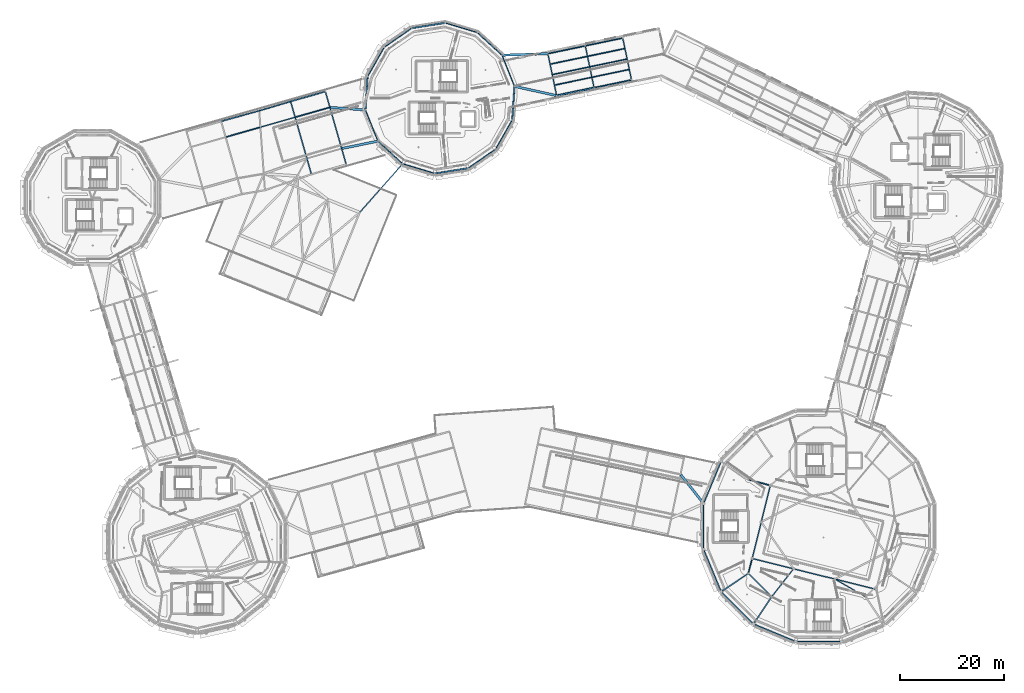
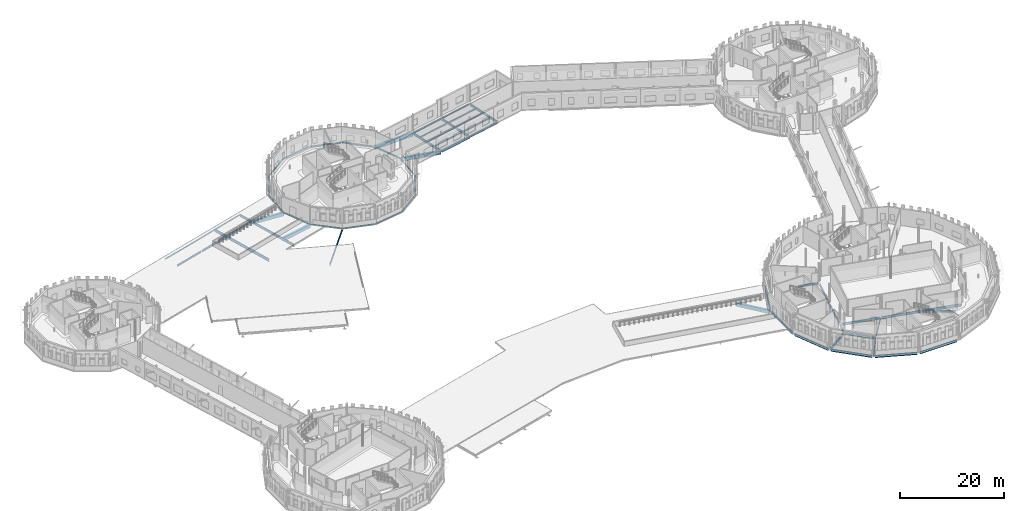
# One storey, part 27 of 90: 59 beams.
"""IFC4 building model written with IfcOpenShell, lengths in metres."""

from ifc_helpers import new_model, si_unit, direction, frame, origin, origin_2d, place, context, subcontext, project, spatial, rectangle, hollow_rectangle, i_section, extrude, material, material_profile, profile_set, type_object, element, save


model = new_model("IFC4")

# Units and contexts
model_context = context("Model", 3, precision=1e-05, world=origin(), true_north=direction((0.0, 1.0)))
body_context = subcontext(model_context, "Body", "Model", "MODEL_VIEW")
ifc_project = project(units=[si_unit("LENGTHUNIT", "METRE"), si_unit("AREAUNIT", "SQUARE_METRE"), si_unit("VOLUMEUNIT", "CUBIC_METRE"), si_unit("PLANEANGLEUNIT", "RADIAN"), si_unit("MASSUNIT", "GRAM", prefix="KILO")], contexts=[model_context])

# Site, building, storey
site_placement = place(None, origin())
site = spatial("IfcSite", under=ifc_project, at=site_placement, CompositionType="ELEMENT")
building_placement = place(site_placement, origin())
building = spatial("IfcBuilding", under=site, at=building_placement, Name="Wrenclough Park School", CompositionType="ELEMENT")
storey_placement = place(building_placement, frame((0.0, 0.0, 8.39990234375)))
storey = spatial("IfcBuildingStorey", under=building, at=storey_placement, Name="L02", CompositionType="ELEMENT", Elevation=8.39990234375)

# Beams
ifc_material_1 = material(Name="Concrete C32/40", Category="concrete")
ifc_material_profile_1 = material_profile(ifc_material_1, rectangle(XDim=0.300048828125, YDim=0.5, at=origin_2d()), Name="RC BEAM 300x500")
ifc_profile_set_1 = profile_set([ifc_material_profile_1], Name="Concrete C32/40")
beam_type_1 = type_object("IfcBeamType", Name="STR-BM-RC300", PredefinedType="BEAM", material=ifc_profile_set_1)
beam_1_placement = place(storey_placement, frame((105.4384765625, 109.007568359375, -0.5), z_axis=(0.978791744413, 0.204857806952, 0.0), x_axis=(-0.204857806952, 0.978791744413, 0.0)))
element("IfcBeam", 1, at=beam_1_placement, inside=storey, type_object=beam_type_1, Name="W45 L02 longitudinal edge beam R1", PredefinedType="BEAM", context=body_context, shape_type="SweptSolid", body=[
    extrude(rectangle(XDim=0.300048828125, YDim=0.5, at=origin_2d()), origin(), (0.0, 0.0, 1.0), 7.120849609375),
])
ifc_material_2 = material(Name="Concrete C40/50", Category="concrete")
ifc_material_profile_2 = material_profile(ifc_material_2, rectangle(XDim=0.449951171875, YDim=0.800048828125, at=origin_2d()), Name="RC BEAM 450x800")
ifc_profile_set_2 = profile_set([ifc_material_profile_2], Name="Concrete C40/50")
beam_type_2 = type_object("IfcBeamType", Name="STR-BM-RC450", PredefinedType="BEAM", material=ifc_profile_set_2)
beam_2_placement = place(storey_placement, frame((129.118408203125, 36.40576171875, -0.724853515625), z_axis=(0.619673593582, -0.784859629117, 0.0), x_axis=(0.784859629117, 0.619673593582, 0.0)))
element("IfcBeam", 2, at=beam_2_placement, inside=storey, type_object=beam_type_2, Name="W12 L02 drum junction tie beam 6", PredefinedType="BEAM", context=body_context, shape_type="SweptSolid", body=[
    extrude(rectangle(XDim=0.449951171875, YDim=0.800048828125, at=origin_2d()), origin(), (0.0, 0.0, 1.0), 6.7529296875),
])
beam_3_placement = place(storey_placement, frame((62.02392578125, 106.73486328125, -0.64990234375), z_axis=(0.997281209138, -0.073689822229, 0.0), x_axis=(0.073689822229, 0.997281209138, 0.0)))
element("IfcBeam", 3, at=beam_3_placement, inside=storey, type_object=beam_type_2, Name="W34 L02 drum junction tie beam 26", PredefinedType="BEAM", context=body_context, shape_type="SweptSolid", body=[
    extrude(rectangle(XDim=0.449951171875, YDim=0.800048828125, at=origin_2d()), origin(), (0.0, 0.0, 1.0), 6.626220703125),
])
beam_4_placement = place(storey_placement, frame((64.27490234375, 98.8779296875, -0.64990234375), z_axis=(0.979929507954, 0.199344323823, 0.0), x_axis=(-0.199344323823, 0.979929507954, 0.0)))
element("IfcBeam", 4, at=beam_4_placement, inside=storey, type_object=beam_type_2, Name="W34 L02 drum junction tie beam 28", PredefinedType="BEAM", context=body_context, shape_type="SweptSolid", body=[
    extrude(rectangle(XDim=0.449951171875, YDim=0.800048828125, at=origin_2d()), origin(), (0.0, 0.0, 1.0), 6.8916015625),
])
beam_5_placement = place(storey_placement, frame((103.5595703125, 117.009765625, -0.64990234375), z_axis=(-0.99947774817, -0.032314561938, 0.0), x_axis=(0.032314561938, -0.99947774817, 0.0)))
element("IfcBeam", 5, at=beam_5_placement, inside=storey, type_object=beam_type_2, Name="W45 L02 drum junction tie beam 42", PredefinedType="BEAM", context=body_context, shape_type="SweptSolid", body=[
    extrude(rectangle(XDim=0.449951171875, YDim=0.800048828125, at=origin_2d()), origin(), (0.0, 0.0, 1.0), 8.590087890625),
])
beam_6_placement = place(storey_placement, frame((105.24169921875, 109.008544921875, -0.64990234375), z_axis=(-0.976676095256, 0.214717966073, 0.0), x_axis=(-0.214717966073, -0.976676095256, 0.0)))
element("IfcBeam", 6, at=beam_6_placement, inside=storey, type_object=beam_type_2, Name="W45 L02 drum junction tie beam 46", PredefinedType="BEAM", context=body_context, shape_type="SweptSolid", body=[
    extrude(rectangle(XDim=0.449951171875, YDim=0.800048828125, at=origin_2d()), origin(), (0.0, 0.0, 1.0), 8.063720703125),
])
ifc_material_3 = material(Name="Structural steel S355", Category="steel")
ifc_material_profile_3 = material_profile(ifc_material_3, hollow_rectangle(XDim=0.14990234375, YDim=0.25, WallThickness=0.010009765625, InnerFilletRadius=0.010009765625, OuterFilletRadius=0.014892578125, at=origin_2d()), Name="RHS 250x150x10.0")
ifc_profile_set_3 = profile_set([ifc_material_profile_3], Name="Structural steel S355")
beam_type_3 = type_object("IfcBeamType", Name="STR-BM-RHS250", PredefinedType="SPANDREL", material=ifc_profile_set_3)
beam_7_placement = place(storey_placement, frame((41.108154296875, 104.071044921875, -0.35498046875), z_axis=(0.963910081631, 0.266228012295, 0.0), x_axis=(-0.266228012295, 0.963910081631, 0.0)))
element("IfcBeam", 7, at=beam_7_placement, inside=storey, type_object=beam_type_3, Name="W34 overhanging eave fascia beam L2", PredefinedType="SPANDREL", context=body_context, shape_type="SweptSolid", body=[
    extrude(hollow_rectangle(XDim=0.14990234375, YDim=0.25, WallThickness=0.010009765625, InnerFilletRadius=0.010009765625, OuterFilletRadius=0.014892578125, at=origin_2d()), origin(), (0.0, 0.0, 1.0), 7.56103515625),
])
beam_8_placement = place(storey_placement, frame((48.396240234375, 106.083984375, -0.35498046875), z_axis=(0.958546413676, 0.284936436471, 0.0), x_axis=(-0.284936436471, 0.958546413676, 0.0)))
element("IfcBeam", 8, at=beam_8_placement, inside=storey, type_object=beam_type_3, Name="W34 overhanging eave fascia beam L3", PredefinedType="SPANDREL", context=body_context, shape_type="SweptSolid", body=[
    extrude(hollow_rectangle(XDim=0.14990234375, YDim=0.25, WallThickness=0.010009765625, InnerFilletRadius=0.010009765625, OuterFilletRadius=0.014892578125, at=origin_2d()), origin(), (0.0, 0.0, 1.0), 6.27197265625),
])
beam_9_placement = place(storey_placement, frame((54.408203125, 107.87109375, -0.35498046875), z_axis=(0.961526611816, 0.274711803112, 0.0), x_axis=(-0.274711803112, 0.961526611816, 0.0)))
element("IfcBeam", 9, at=beam_9_placement, inside=storey, type_object=beam_type_3, Name="W34 overhanging eave fascia beam L4", PredefinedType="SPANDREL", context=body_context, shape_type="SweptSolid", body=[
    extrude(hollow_rectangle(XDim=0.14990234375, YDim=0.25, WallThickness=0.010009765625, InnerFilletRadius=0.010009765625, OuterFilletRadius=0.014892578125, at=origin_2d()), origin(), (0.0, 0.0, 1.0), 6.916015625),
])
ifc_material_profile_4 = material_profile(ifc_material_3, hollow_rectangle(XDim=0.199951171875, YDim=0.300048828125, WallThickness=0.012451171875, InnerFilletRadius=0.012451171875, OuterFilletRadius=0.018798828125, at=origin_2d()), Name="RHS 300x200x12.5")
ifc_profile_set_4 = profile_set([ifc_material_profile_4], Name="Structural steel S355")
beam_type_4 = type_object("IfcBeamType", Name="STR-BM-RHS300", PredefinedType="SPANDREL", material=ifc_profile_set_4)
beam_10_placement = place(storey_placement, frame((97.236328125, 110.849609375, -0.39990234375), z_axis=(-0.372308088297, 0.928109200142, 0.0), x_axis=(-0.928109200142, -0.372308088297, 0.0)))
element("IfcBeam", 10, at=beam_10_placement, inside=storey, type_object=beam_type_4, Name="D4 L02 outer ring spandrel beam 1", PredefinedType="SPANDREL", context=body_context, shape_type="SweptSolid", body=[
    extrude(hollow_rectangle(XDim=0.199951171875, YDim=0.300048828125, WallThickness=0.012451171875, InnerFilletRadius=0.012451171875, OuterFilletRadius=0.018798828125, at=origin_2d()), origin(), (0.0, 0.0, 1.0), 6.23876953125),
])
beam_11_placement = place(storey_placement, frame((94.806884765625, 116.7939453125, -0.39990234375), z_axis=(-0.738113443635, 0.674676622038, 0.0), x_axis=(-0.674676622038, -0.738113443635, 0.0)))
element("IfcBeam", 11, at=beam_11_placement, inside=storey, type_object=beam_type_4, Name="D4 L02 outer ring spandrel beam 2", PredefinedType="SPANDREL", context=body_context, shape_type="SweptSolid", body=[
    extrude(hollow_rectangle(XDim=0.199951171875, YDim=0.300048828125, WallThickness=0.012451171875, InnerFilletRadius=0.012451171875, OuterFilletRadius=0.018798828125, at=origin_2d()), origin(), (0.0, 0.0, 1.0), 6.238525390625),
])
for number, where, z_axis, x_axis, name in (
    (12, (90.039306640625, 121.095458984375, -0.39990234375), (-0.957756249966, 0.287581233136, 0.0), (-0.287581233136, -0.957756249966, 0.0), "D4 L02 outer ring spandrel beam 3"),
    (13, (83.877197265625, 122.90234375, -0.39990234375), (-0.987686062731, -0.156448846228, 0.0), (0.156448846228, -0.987686062731, 0.0), "D4 L02 outer ring spandrel beam 4"),
    (14, (77.54150390625, 121.856689453125, -0.39990234375), (-0.822001965349, -0.569484652086, 0.0), (0.569484652086, -0.822001965349, 0.0), "D4 L02 outer ring spandrel beam 5"),
):
    element("IfcBeam", number, at=place(storey_placement, frame(where, z_axis=z_axis, x_axis=x_axis)), inside=storey, type_object=beam_type_4, Name=name, PredefinedType="SPANDREL", context=body_context, shape_type="SweptSolid", body=[
        extrude(hollow_rectangle(XDim=0.199951171875, YDim=0.300048828125, WallThickness=0.012451171875, InnerFilletRadius=0.012451171875, OuterFilletRadius=0.018798828125, at=origin_2d()), origin(), (0.0, 0.0, 1.0), 6.239013671875),
    ])
beam_12_placement = place(storey_placement, frame((72.286865234375, 118.16552734375, -0.39990234375), z_axis=(-0.493494324181, -0.869749016672, 0.0), x_axis=(0.869749016672, -0.493494324181, 0.0)))
element("IfcBeam", 15, at=beam_12_placement, inside=storey, type_object=beam_type_4, Name="D4 L02 outer ring spandrel beam 6", PredefinedType="SPANDREL", context=body_context, shape_type="SweptSolid", body=[
    extrude(hollow_rectangle(XDim=0.199951171875, YDim=0.300048828125, WallThickness=0.012451171875, InnerFilletRadius=0.012451171875, OuterFilletRadius=0.018798828125, at=origin_2d()), origin(), (0.0, 0.0, 1.0), 6.23876953125),
])
beam_13_placement = place(storey_placement, frame((69.154052734375, 112.56005859375, -0.39990234375), z_axis=(-0.067266991553, -0.997735010836, 0.0), x_axis=(0.997735010836, -0.067266991553, 0.0)))
element("IfcBeam", 16, at=beam_13_placement, inside=storey, type_object=beam_type_4, Name="D4 L02 outer ring spandrel beam 7", PredefinedType="SPANDREL", context=body_context, shape_type="SweptSolid", body=[
    extrude(hollow_rectangle(XDim=0.199951171875, YDim=0.300048828125, WallThickness=0.012451171875, InnerFilletRadius=0.012451171875, OuterFilletRadius=0.018798828125, at=origin_2d()), origin(), (0.0, 0.0, 1.0), 6.239013671875),
])
beam_14_placement = place(storey_placement, frame((68.763671875, 106.150390625, -0.39990234375), z_axis=(0.372308088297, -0.928109200142, 0.0), x_axis=(0.928109200142, 0.372308088297, 0.0)))
element("IfcBeam", 17, at=beam_14_placement, inside=storey, type_object=beam_type_4, Name="D4 L02 outer ring spandrel beam 8", PredefinedType="SPANDREL", context=body_context, shape_type="SweptSolid", body=[
    extrude(hollow_rectangle(XDim=0.199951171875, YDim=0.300048828125, WallThickness=0.012451171875, InnerFilletRadius=0.012451171875, OuterFilletRadius=0.018798828125, at=origin_2d()), origin(), (0.0, 0.0, 1.0), 6.23876953125),
])
beam_15_placement = place(storey_placement, frame((71.193115234375, 100.2060546875, -0.39990234375), z_axis=(0.738113443635, -0.674676622038, 0.0), x_axis=(0.674676622038, 0.738113443635, 0.0)))
element("IfcBeam", 18, at=beam_15_placement, inside=storey, type_object=beam_type_4, Name="D4 L02 outer ring spandrel beam 9", PredefinedType="SPANDREL", context=body_context, shape_type="SweptSolid", body=[
    extrude(hollow_rectangle(XDim=0.199951171875, YDim=0.300048828125, WallThickness=0.012451171875, InnerFilletRadius=0.012451171875, OuterFilletRadius=0.018798828125, at=origin_2d()), origin(), (0.0, 0.0, 1.0), 6.238525390625),
])
for number, where, z_axis, x_axis, name in (
    (19, (75.960693359375, 95.904541015625, -0.39990234375), (0.957756249966, -0.287581233136, 0.0), (0.287581233136, 0.957756249966, 0.0), "D4 L02 outer ring spandrel beam 10"),
    (20, (82.122802734375, 94.09765625, -0.39990234375), (0.987686062731, 0.156448846228, 0.0), (-0.156448846228, 0.987686062731, 0.0), "D4 L02 outer ring spandrel beam 11"),
    (21, (88.45849609375, 95.143310546875, -0.39990234375), (0.822001965349, 0.569484652086, 0.0), (-0.569484652086, 0.822001965349, 0.0), "D4 L02 outer ring spandrel beam 12"),
):
    element("IfcBeam", number, at=place(storey_placement, frame(where, z_axis=z_axis, x_axis=x_axis)), inside=storey, type_object=beam_type_4, Name=name, PredefinedType="SPANDREL", context=body_context, shape_type="SweptSolid", body=[
        extrude(hollow_rectangle(XDim=0.199951171875, YDim=0.300048828125, WallThickness=0.012451171875, InnerFilletRadius=0.012451171875, OuterFilletRadius=0.018798828125, at=origin_2d()), origin(), (0.0, 0.0, 1.0), 6.239013671875),
    ])
beam_16_placement = place(storey_placement, frame((93.713134765625, 98.83447265625, -0.39990234375), z_axis=(0.493494324181, 0.869749016672, 0.0), x_axis=(-0.869749016672, 0.493494324181, 0.0)))
element("IfcBeam", 22, at=beam_16_placement, inside=storey, type_object=beam_type_4, Name="D4 L02 outer ring spandrel beam 13", PredefinedType="SPANDREL", context=body_context, shape_type="SweptSolid", body=[
    extrude(hollow_rectangle(XDim=0.199951171875, YDim=0.300048828125, WallThickness=0.012451171875, InnerFilletRadius=0.012451171875, OuterFilletRadius=0.018798828125, at=origin_2d()), origin(), (0.0, 0.0, 1.0), 6.23876953125),
])
beam_17_placement = place(storey_placement, frame((96.845947265625, 104.43994140625, -0.39990234375), z_axis=(0.067266991553, 0.997735010836, 0.0), x_axis=(-0.997735010836, 0.067266991553, 0.0)))
element("IfcBeam", 23, at=beam_17_placement, inside=storey, type_object=beam_type_4, Name="D4 L02 outer ring spandrel beam 14", PredefinedType="SPANDREL", context=body_context, shape_type="SweptSolid", body=[
    extrude(hollow_rectangle(XDim=0.199951171875, YDim=0.300048828125, WallThickness=0.012451171875, InnerFilletRadius=0.012451171875, OuterFilletRadius=0.018798828125, at=origin_2d()), origin(), (0.0, 0.0, 1.0), 6.239013671875),
])
ifc_material_profile_5 = material_profile(ifc_material_3, i_section(OverallWidth=0.1650390625, OverallDepth=0.303466796875, WebThickness=0.006103515625, FlangeThickness=0.01025390625, FilletRadius=0.0087890625, at=origin_2d()), Name="UKB 305x165x40")
ifc_profile_set_5 = profile_set([ifc_material_profile_5], Name="Structural steel S355")
beam_type_5 = type_object("IfcBeamType", Name="STR-BM-UKB305", PredefinedType="JOIST", material=ifc_profile_set_5)
for number, where, z_axis, x_axis, name in (
    (24, (104.1826171875, 115.02783203125, -0.401611328125), (0.978785502832, 0.204887626386, 0.0), (-0.204887626386, 0.978785502832, 0.0), "W45 L02 secondary floor joist 0085"),
    (25, (105.0224609375, 111.014892578125, -0.401611328125), (0.978785502832, 0.204887626386, 0.0), (-0.204887626386, 0.978785502832, 0.0), "W45 L02 secondary floor joist 0087"),
):
    element("IfcBeam", number, at=place(storey_placement, frame(where, z_axis=z_axis, x_axis=x_axis)), inside=storey, type_object=beam_type_5, Name=name, PredefinedType="JOIST", context=body_context, shape_type="SweptSolid", body=[
        extrude(i_section(OverallWidth=0.1650390625, OverallDepth=0.303466796875, WebThickness=0.006103515625, FlangeThickness=0.01025390625, FilletRadius=0.0087890625, at=origin_2d()), origin(), (0.0, 0.0, 1.0), 7.112548828125),
    ])
beam_18_placement = place(storey_placement, frame((111.76904296875, 114.521484375, -0.401611328125), z_axis=(0.97879382637, 0.204847859299, 0.0), x_axis=(-0.204847859299, 0.97879382637, 0.0)))
element("IfcBeam", 26, at=beam_18_placement, inside=storey, type_object=beam_type_5, Name="W45 L02 secondary floor joist 0089", PredefinedType="JOIST", context=body_context, shape_type="SweptSolid", body=[
    extrude(i_section(OverallWidth=0.1650390625, OverallDepth=0.303466796875, WebThickness=0.006103515625, FlangeThickness=0.01025390625, FilletRadius=0.0087890625, at=origin_2d()), origin(), (0.0, 0.0, 1.0), 7.11279296875),
])
ifc_material_profile_6 = material_profile(ifc_material_3, i_section(OverallWidth=0.17138671875, OverallDepth=0.35498046875, WebThickness=0.00732421875, FlangeThickness=0.011474609375, FilletRadius=0.01025390625, at=origin_2d()), Name="UKB 356x171x51")
ifc_profile_set_6 = profile_set([ifc_material_profile_6], Name="Structural steel S355")
beam_type_6 = type_object("IfcBeamType", Name="STR-BM-UKB356", PredefinedType="JOIST", material=ifc_profile_set_6)
beam_19_placement = place(storey_placement, frame((104.602294921875, 113.021484375, -0.427490234375), z_axis=(0.97879382637, 0.204847859299, 0.0), x_axis=(-0.204847859299, 0.97879382637, 0.0)))
element("IfcBeam", 27, at=beam_19_placement, inside=storey, type_object=beam_type_6, Name="W45 L02 secondary floor joist 0086", PredefinedType="JOIST", context=body_context, shape_type="SweptSolid", body=[
    extrude(i_section(OverallWidth=0.17138671875, OverallDepth=0.35498046875, WebThickness=0.00732421875, FlangeThickness=0.011474609375, FilletRadius=0.01025390625, at=origin_2d()), origin(), (0.0, 0.0, 1.0), 7.11279296875),
])
for number, where, z_axis, x_axis, name in (
    (28, (111.34912109375, 116.52783203125, -0.427490234375), (0.978785502832, 0.204887626386, 0.0), (-0.204887626386, 0.978785502832, 0.0), "W45 L02 secondary floor joist 0088"),
    (29, (112.189208984375, 112.514892578125, -0.427490234375), (0.978785502832, 0.204887626386, 0.0), (-0.204887626386, 0.978785502832, 0.0), "W45 L02 secondary floor joist 0090"),
):
    element("IfcBeam", number, at=place(storey_placement, frame(where, z_axis=z_axis, x_axis=x_axis)), inside=storey, type_object=beam_type_6, Name=name, PredefinedType="JOIST", context=body_context, shape_type="SweptSolid", body=[
        extrude(i_section(OverallWidth=0.17138671875, OverallDepth=0.35498046875, WebThickness=0.00732421875, FlangeThickness=0.011474609375, FilletRadius=0.01025390625, at=origin_2d()), origin(), (0.0, 0.0, 1.0), 7.112548828125),
    ])
ifc_material_profile_7 = material_profile(ifc_material_3, i_section(OverallWidth=0.177978515625, OverallDepth=0.406494140625, WebThickness=0.0078125, FlangeThickness=0.0126953125, FilletRadius=0.01025390625, at=origin_2d()), Name="UKB 406x178x60")
ifc_profile_set_7 = profile_set([ifc_material_profile_7], Name="Structural steel S355")
beam_type_7 = type_object("IfcBeamType", Name="STR-BM-UKB406", PredefinedType="BEAM", material=ifc_profile_set_7)
for number, where, z_axis, x_axis, name in (
    (30, (42.0703125, 101.06982421875, -0.42822265625), (0.961523947641, 0.274721127897, 0.0), (-0.274721127897, 0.961523947641, 0.0), "W34 L02 longitudinal edge beam L2"),
    (31, (55.370361328125, 104.869873046875, -0.42822265625), (0.961523947641, 0.274721127897, 0.0), (-0.274721127897, 0.961523947641, 0.0), "W34 L02 longitudinal edge beam L4"),
):
    element("IfcBeam", number, at=place(storey_placement, frame(where, z_axis=z_axis, x_axis=x_axis)), inside=storey, type_object=beam_type_7, Name=name, PredefinedType="BEAM", context=body_context, shape_type="SweptSolid", body=[
        extrude(i_section(OverallWidth=0.177978515625, OverallDepth=0.406494140625, WebThickness=0.0078125, FlangeThickness=0.0126953125, FilletRadius=0.01025390625, at=origin_2d()), origin(), (0.0, 0.0, 1.0), 6.71484375),
    ])
beam_20_placement = place(storey_placement, frame((110.92529296875, 118.53369140625, -0.453125), z_axis=(0.978791744413, 0.204857806952, 0.0), x_axis=(-0.204857806952, 0.978791744413, 0.0)))
element("IfcBeam", 32, at=beam_20_placement, inside=storey, type_object=beam_type_7, Name="W45 L02 longitudinal edge beam L2", PredefinedType="BEAM", context=body_context, shape_type="SweptSolid", body=[
    extrude(i_section(OverallWidth=0.177978515625, OverallDepth=0.406494140625, WebThickness=0.0078125, FlangeThickness=0.0126953125, FilletRadius=0.01025390625, at=origin_2d()), origin(), (0.0, 0.0, 1.0), 7.120849609375),
])
ifc_material_profile_8 = material_profile(ifc_material_3, i_section(OverallWidth=0.18994140625, OverallDepth=0.453369140625, WebThickness=0.008544921875, FlangeThickness=0.0126953125, FilletRadius=0.01025390625, at=origin_2d()), Name="UKB 457x191x67")
ifc_profile_set_8 = profile_set([ifc_material_profile_8], Name="Structural steel S355")
beam_type_8 = type_object("IfcBeamType", Name="STR-BM-UKB457A", PredefinedType="BEAM", material=ifc_profile_set_8)
beam_21_placement = place(storey_placement, frame((48.72021484375, 102.9697265625, -0.45166015625), z_axis=(0.961517087647, 0.27474513674, 0.0), x_axis=(-0.27474513674, 0.961517087647, 0.0)))
element("IfcBeam", 33, at=beam_21_placement, inside=storey, type_object=beam_type_8, Name="W34 L02 longitudinal edge beam L3", PredefinedType="BEAM", context=body_context, shape_type="SweptSolid", body=[
    extrude(i_section(OverallWidth=0.18994140625, OverallDepth=0.453369140625, WebThickness=0.008544921875, FlangeThickness=0.0126953125, FilletRadius=0.01025390625, at=origin_2d()), origin(), (0.0, 0.0, 1.0), 6.715087890625),
])
for number, where, z_axis, x_axis, name in (
    (34, (103.758544921875, 117.03369140625, -0.4765625), (0.978791744413, 0.204857806952, 0.0), (-0.204857806952, 0.978791744413, 0.0), "W45 L02 longitudinal edge beam L1"),
    (35, (112.60498046875, 110.507568359375, -0.4765625), (0.978791744413, 0.204857806952, 0.0), (-0.204857806952, 0.978791744413, 0.0), "W45 L02 longitudinal edge beam R2"),
):
    element("IfcBeam", number, at=place(storey_placement, frame(where, z_axis=z_axis, x_axis=x_axis)), inside=storey, type_object=beam_type_8, Name=name, PredefinedType="BEAM", context=body_context, shape_type="SweptSolid", body=[
        extrude(i_section(OverallWidth=0.18994140625, OverallDepth=0.453369140625, WebThickness=0.008544921875, FlangeThickness=0.0126953125, FilletRadius=0.01025390625, at=origin_2d()), origin(), (0.0, 0.0, 1.0), 7.120849609375),
    ])
beam_22_placement = place(storey_placement, frame((142.727294921875, 20.2041015625, -0.551513671875), z_axis=(-0.249618070556, -0.96834436997, 0.0), x_axis=(0.96834436997, -0.249618070556, 0.0)))
element("IfcBeam", 36, at=beam_22_placement, inside=storey, type_object=beam_type_8, Name="Primary frame continuity tie beam 0002", PredefinedType="BEAM", context=body_context, shape_type="SweptSolid", body=[
    extrude(i_section(OverallWidth=0.18994140625, OverallDepth=0.453369140625, WebThickness=0.008544921875, FlangeThickness=0.0126953125, FilletRadius=0.01025390625, at=origin_2d()), origin(), (0.0, 0.0, 1.0), 2.641845703125),
])
beam_23_placement = place(storey_placement, frame((146.0830078125, 34.396728515625, -0.551513671875), z_axis=(-0.964881985044, 0.262683754614, 0.0), x_axis=(-0.262683754614, -0.964881985044, 0.0)))
element("IfcBeam", 37, at=beam_23_placement, inside=storey, type_object=beam_type_8, Name="Primary frame continuity tie beam 0010", PredefinedType="BEAM", context=body_context, shape_type="SweptSolid", body=[
    extrude(i_section(OverallWidth=0.18994140625, OverallDepth=0.453369140625, WebThickness=0.008544921875, FlangeThickness=0.0126953125, FilletRadius=0.01025390625, at=origin_2d()), origin(), (0.0, 0.0, 1.0), 4.04931640625),
])
beam_24_placement = place(storey_placement, frame((150.5859375, 18.2607421875, -0.551513671875), z_axis=(-0.615619938255, -0.78804320416, 0.0), x_axis=(0.78804320416, -0.615619938255, 0.0)))
element("IfcBeam", 38, at=beam_24_placement, inside=storey, type_object=beam_type_8, Name="Primary frame continuity tie beam 0014", PredefinedType="BEAM", context=body_context, shape_type="SweptSolid", body=[
    extrude(i_section(OverallWidth=0.18994140625, OverallDepth=0.453369140625, WebThickness=0.008544921875, FlangeThickness=0.0126953125, FilletRadius=0.01025390625, at=origin_2d()), origin(), (0.0, 0.0, 1.0), 6.486328125),
])
beam_25_placement = place(storey_placement, frame((158.775146484375, 16.336669921875, -0.551513671875), z_axis=(0.865950185611, -0.500130259072, 0.0), x_axis=(0.500130259072, 0.865950185611, 0.0)))
element("IfcBeam", 39, at=beam_25_placement, inside=storey, type_object=beam_type_8, Name="Primary frame continuity tie beam 0022", PredefinedType="BEAM", context=body_context, shape_type="SweptSolid", body=[
    extrude(i_section(OverallWidth=0.18994140625, OverallDepth=0.453369140625, WebThickness=0.008544921875, FlangeThickness=0.0126953125, FilletRadius=0.01025390625, at=origin_2d()), origin(), (0.0, 0.0, 1.0), 6.460205078125),
])
beam_26_placement = place(storey_placement, frame((67.693603515625, 86.688232421875, -0.4765625), z_axis=(0.662471914349, 0.749086752451, 0.0), x_axis=(-0.749086752451, 0.662471914349, 0.0)))
element("IfcBeam", 40, at=beam_26_placement, inside=storey, type_object=beam_type_8, Name="Primary frame continuity tie beam 0168", PredefinedType="BEAM", context=body_context, shape_type="SweptSolid", body=[
    extrude(i_section(OverallWidth=0.18994140625, OverallDepth=0.453369140625, WebThickness=0.008544921875, FlangeThickness=0.0126953125, FilletRadius=0.01025390625, at=origin_2d()), origin(), (0.0, 0.0, 1.0), 12.244384765625),
])
ifc_material_profile_9 = material_profile(ifc_material_3, i_section(OverallWidth=0.209228515625, OverallDepth=0.533203125, WebThickness=0.010009765625, FlangeThickness=0.015625, FilletRadius=0.0126953125, at=origin_2d()), Name="UKB 533x210x92")
ifc_profile_set_9 = profile_set([ifc_material_profile_9], Name="Structural steel S355")
beam_type_9 = type_object("IfcBeamType", Name="STR-BM-UKB533A", PredefinedType="BEAM", material=ifc_profile_set_9)
beam_27_placement = place(storey_placement, frame((142.136962890625, 17.39306640625, -0.591552734375), z_axis=(0.707106781187, -0.707106781187, 0.0), x_axis=(0.707106781187, 0.707106781187, 0.0)))
element("IfcBeam", 41, at=beam_27_placement, inside=storey, type_object=beam_type_9, Name="D1 L02 middle ring beam 10", PredefinedType="BEAM", context=body_context, shape_type="SweptSolid", body=[
    extrude(i_section(OverallWidth=0.209228515625, OverallDepth=0.533203125, WebThickness=0.010009765625, FlangeThickness=0.015625, FilletRadius=0.0126953125, at=origin_2d()), origin(), (0.0, 0.0, 1.0), 6.01904296875),
])
beam_28_placement = place(storey_placement, frame((142.815185546875, 20.55078125, -0.591552734375), z_axis=(0.241947905515, 0.970289240905, 0.0), x_axis=(-0.970289240905, 0.241947905515, 0.0)))
element("IfcBeam", 42, at=beam_28_placement, inside=storey, type_object=beam_type_9, Name="D1 L02 hall frame girder 0.1", PredefinedType="BEAM", context=body_context, shape_type="SweptSolid", body=[
    extrude(i_section(OverallWidth=0.209228515625, OverallDepth=0.533203125, WebThickness=0.010009765625, FlangeThickness=0.015625, FilletRadius=0.0126953125, at=origin_2d()), origin(), (0.0, 0.0, 1.0), 6.842529296875),
])
beam_29_placement = place(storey_placement, frame((142.945556640625, 20.333984375, -0.591552734375), z_axis=(0.970304120447, -0.241888225928, 0.0), x_axis=(0.241888225928, 0.970304120447, 0.0)))
element("IfcBeam", 43, at=beam_29_placement, inside=storey, type_object=beam_type_9, Name="D1 L02 hall frame girder 0.3", PredefinedType="BEAM", context=body_context, shape_type="SweptSolid", body=[
    extrude(i_section(OverallWidth=0.209228515625, OverallDepth=0.533203125, WebThickness=0.010009765625, FlangeThickness=0.015625, FilletRadius=0.0126953125, at=origin_2d()), origin(), (0.0, 0.0, 1.0), 7.80908203125),
])
beam_30_placement = place(storey_placement, frame((144.55712890625, 27.537109375, -0.591552734375), z_axis=(0.241914313491, 0.970297616677, 0.0), x_axis=(-0.970297616677, 0.241914313491, 0.0)))
element("IfcBeam", 44, at=beam_30_placement, inside=storey, type_object=beam_type_9, Name="D1 L02 hall frame girder 1.2", PredefinedType="BEAM", context=body_context, shape_type="SweptSolid", body=[
    extrude(i_section(OverallWidth=0.209228515625, OverallDepth=0.533203125, WebThickness=0.010009765625, FlangeThickness=0.015625, FilletRadius=0.0126953125, at=origin_2d()), origin(), (0.0, 0.0, 1.0), 6.84228515625),
])
for number, where, z_axis, x_axis, name in (
    (45, (150.86962890625, 18.3583984375, -0.591552734375), (0.970296782276, -0.241917660177, 0.0), (0.241917660177, 0.970296782276, 0.0), "D1 L02 hall frame girder 3.5"),
    (46, (158.793701171875, 16.3828125, -0.591552734375), (0.970296782276, -0.241917660177, 0.0), (0.241917660177, 0.970296782276, 0.0), "D1 L02 hall frame girder 5.7"),
):
    element("IfcBeam", number, at=place(storey_placement, frame(where, z_axis=z_axis, x_axis=x_axis)), inside=storey, type_object=beam_type_9, Name=name, PredefinedType="BEAM", context=body_context, shape_type="SweptSolid", body=[
        extrude(i_section(OverallWidth=0.209228515625, OverallDepth=0.533203125, WebThickness=0.010009765625, FlangeThickness=0.015625, FilletRadius=0.0126953125, at=origin_2d()), origin(), (0.0, 0.0, 1.0), 7.80908203125),
    ])
beam_31_placement = place(storey_placement, frame((65.041748046875, 95.8291015625, -0.496337890625), z_axis=(-0.274736694562, 0.961519499886, 0.0), x_axis=(-0.961519499886, -0.274736694562, 0.0)))
element("IfcBeam", 47, at=beam_31_placement, inside=storey, type_object=beam_type_9, Name="W34 continuous overhanging eave roof girder 1.5", PredefinedType="BEAM", context=body_context, shape_type="SweptSolid", body=[
    extrude(i_section(OverallWidth=0.209228515625, OverallDepth=0.533203125, WebThickness=0.010009765625, FlangeThickness=0.015625, FilletRadius=0.0126953125, at=origin_2d()), origin(), (0.0, 0.0, 1.0), 14.499755859375),
])
for number, where, z_axis, x_axis, name in (
    (48, (103.6806640625, 116.91455078125, -0.516357421875), (0.204865874247, -0.978790055921, 0.0), (0.978790055921, 0.204865874247, 0.0), "W45 L02 transverse floor beam 1"),
    (49, (110.847412109375, 118.41455078125, -0.516357421875), (0.204865874247, -0.978790055921, 0.0), (0.978790055921, 0.204865874247, 0.0), "W45 L02 transverse floor beam 2"),
    (50, (118.013916015625, 119.91455078125, -0.516357421875), (0.204865874247, -0.978790055921, 0.0), (0.978790055921, 0.204865874247, 0.0), "W45 L02 transverse floor beam 3"),
):
    element("IfcBeam", number, at=place(storey_placement, frame(where, z_axis=z_axis, x_axis=x_axis)), inside=storey, type_object=beam_type_9, Name=name, PredefinedType="BEAM", context=body_context, shape_type="SweptSolid", body=[
        extrude(i_section(OverallWidth=0.209228515625, OverallDepth=0.533203125, WebThickness=0.010009765625, FlangeThickness=0.015625, FilletRadius=0.0126953125, at=origin_2d()), origin(), (0.0, 0.0, 1.0), 7.998779296875),
    ])
ifc_material_profile_10 = material_profile(ifc_material_3, i_section(OverallWidth=0.210693359375, OverallDepth=0.53955078125, WebThickness=0.01171875, FlangeThickness=0.018798828125, FilletRadius=0.0126953125, at=origin_2d()), Name="UKB 533x210x109")
ifc_profile_set_10 = profile_set([ifc_material_profile_10], Name="Structural steel S355")
beam_type_10 = type_object("IfcBeamType", Name="STR-BM-UKB533B", PredefinedType="SPANDREL", material=ifc_profile_set_10)
for number, where, z_axis, x_axis, name in (
    (51, (136.723388671875, 38.70654296875, -0.5947265625), (-0.382699586795, -0.923872840962, 0.0), (0.923872840962, -0.382699586795, 0.0), "D1 L02 outer ring spandrel beam 7"),
    (52, (133.4814453125, 30.591796875, -0.5947265625), (0.0, -1.0, 0.0), (1.0, 0.0, 0.0), "D1 L02 outer ring spandrel beam 8"),
    (53, (133.591552734375, 21.85400390625, -0.5947265625), (0.382699586795, -0.923872840962, 0.0), (0.923872840962, 0.382699586795, 0.0), "D1 L02 outer ring spandrel beam 9"),
    (54, (137.037109375, 13.82373046875, -0.5947265625), (0.707106781187, -0.707106781187, 0.0), (0.707106781187, 0.707106781187, 0.0), "D1 L02 outer ring spandrel beam 10"),
    (55, (143.29345703125, 7.723388671875, -0.5947265625), (0.923872840962, -0.382699586795, 0.0), (0.382699586795, 0.923872840962, 0.0), "D1 L02 outer ring spandrel beam 11"),
    (56, (151.408203125, 4.4814453125, -0.5947265625), (1.0, 0.0, 0.0), (0.0, 1.0, 0.0), "D1 L02 outer ring spandrel beam 12"),
):
    element("IfcBeam", number, at=place(storey_placement, frame(where, z_axis=z_axis, x_axis=x_axis)), inside=storey, type_object=beam_type_10, Name=name, PredefinedType="SPANDREL", context=body_context, shape_type="SweptSolid", body=[
        extrude(i_section(OverallWidth=0.210693359375, OverallDepth=0.53955078125, WebThickness=0.01171875, FlangeThickness=0.018798828125, FilletRadius=0.0126953125, at=origin_2d()), origin(), (0.0, 0.0, 1.0), 8.18359375),
    ])
ifc_material_profile_11 = material_profile(ifc_material_3, i_section(OverallWidth=0.22900390625, OverallDepth=0.6123046875, WebThickness=0.011962890625, FlangeThickness=0.01953125, FilletRadius=0.0126953125, at=origin_2d()), Name="UKB 610x229x125")
ifc_profile_set_11 = profile_set([ifc_material_profile_11], Name="Structural steel S355")
beam_type_11 = type_object("IfcBeamType", Name="STR-BM-UKB610", PredefinedType="BEAM", material=ifc_profile_set_11)
for number, where, z_axis, x_axis, name in (
    (57, (137.072998046875, 14.1875, -0.631103515625), (0.831468126154, 0.555572457191, 0.0), (-0.555572457191, 0.831468126154, 0.0), "D1 L02 radial girder 10"),
    (58, (143.1875, 8.072998046875, -0.631103515625), (0.555572457191, 0.831468126154, 0.0), (-0.831468126154, 0.555572457191, 0.0), "D1 L02 radial girder 11"),
):
    element("IfcBeam", number, at=place(storey_placement, frame(where, z_axis=z_axis, x_axis=x_axis)), inside=storey, type_object=beam_type_11, Name=name, PredefinedType="BEAM", context=body_context, shape_type="SweptSolid", body=[
        extrude(i_section(OverallWidth=0.22900390625, OverallDepth=0.6123046875, WebThickness=0.011962890625, FlangeThickness=0.01953125, FilletRadius=0.0126953125, at=origin_2d()), origin(), (0.0, 0.0, 1.0), 5.81103515625),
    ])
beam_32_placement = place(storey_placement, frame((58.391845703125, 93.928955078125, -0.535888671875), z_axis=(-0.274732246771, 0.96152077075, 0.0), x_axis=(-0.96152077075, -0.274732246771, 0.0)))
element("IfcBeam", 59, at=beam_32_placement, inside=storey, type_object=beam_type_11, Name="W34 continuous overhanging eave roof girder 1.4", PredefinedType="BEAM", context=body_context, shape_type="SweptSolid", body=[
    extrude(i_section(OverallWidth=0.22900390625, OverallDepth=0.6123046875, WebThickness=0.011962890625, FlangeThickness=0.01953125, FilletRadius=0.0126953125, at=origin_2d()), origin(), (0.0, 0.0, 1.0), 14.5),
])

save(model, "model.ifc")
